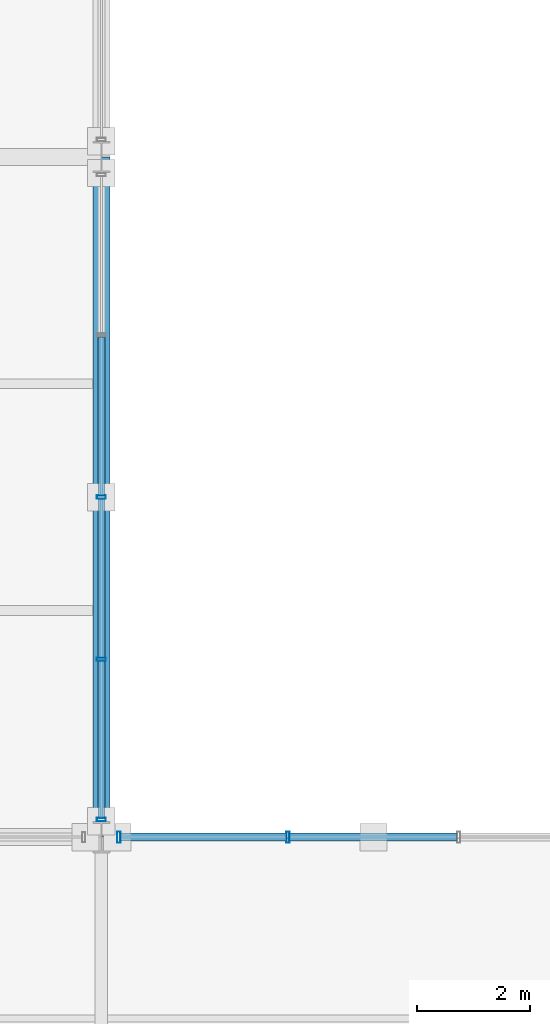
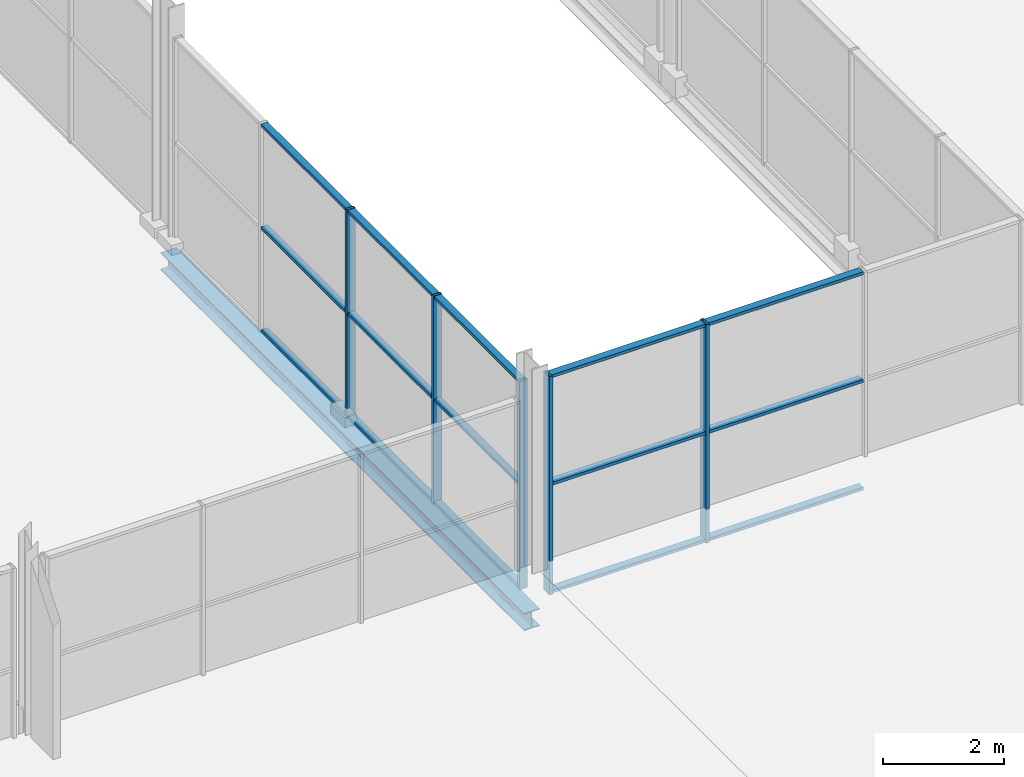
# One storey, part 31 of 159: 20 members, 1 beam, 2 elements without a shape of their own.
"""IFC4 building model written with IfcOpenShell, lengths in metres."""

import ifcopenshell
import ifcopenshell.guid

model = None  # the IFC model being written
_history = None  # IfcOwnerHistory: only IFC2X3 demands one
_inside = {}  # id of a spatial element -> (the spatial element, [elements in it])
_under = {}  # id of a project, library or spatial element -> (it, [spatial elements below it])
_declared = {}  # id of a project -> (the project, [libraries it declares])
_typed = {}  # id of a type object -> (the type object, [elements of that type])
_made_of = {}  # id of a material, layer set ... -> (it, [elements and type objects made of it])


def new_model(schema):
    """Start an empty IFC model of exactly this schema.

    Asked for "IFC4X3", IfcOpenShell would pick the latest addendum, in which some entities
    have other attributes; the version numbers below select the first issue.
    IFC2X3 requires an IfcOwnerHistory on every rooted entity: one is made here for all.
    """
    global model, _history
    if schema == "IFC4X3":
        model = ifcopenshell.file(schema_version=(4, 3, 0, 0))
    else:
        model = ifcopenshell.file(schema=schema)
    _inside.clear()
    _under.clear()
    _declared.clear()
    _typed.clear()
    _made_of.clear()
    _history = None
    if model.schema == "IFC2X3":
        org = make("IfcOrganization", Name="unknown")
        user = make(
            "IfcPersonAndOrganization",
            ThePerson=make("IfcPerson", FamilyName="unknown"),
            TheOrganization=org,
        )
        app = make(
            "IfcApplication",
            ApplicationDeveloper=org,
            Version="unknown",
            ApplicationFullName="unknown",
            ApplicationIdentifier="unknown",
        )
        _history = make(
            "IfcOwnerHistory",
            OwningUser=user,
            OwningApplication=app,
            ChangeAction="ADDED",
            CreationDate=0,
        )
    return model


def make(cls, **values):
    """One entity of the class cls with the attributes given. An attribute that is None is left unset."""
    return model.create_entity(
        cls, **{name: value for name, value in values.items() if value is not None}
    )


def rooted(cls, **values):
    """An entity with a GlobalId (a new one), such as an element, a storey or a relation."""
    return make(cls, GlobalId=ifcopenshell.guid.new(), OwnerHistory=_history, **values)


def si_unit(unit_type, name, prefix=None):
    """IfcSIUnit, for example si_unit("LENGTHUNIT", "METRE", prefix="MILLI")."""
    return make("IfcSIUnit", UnitType=unit_type, Prefix=prefix, Name=name)


def assignment(units):
    """IfcUnitAssignment: the units of a project."""
    return None if units is None else make("IfcUnitAssignment", Units=units)


def point(xyz):
    """IfcCartesianPoint."""
    return None if xyz is None else make("IfcCartesianPoint", Coordinates=xyz)


def direction(xyz):
    """IfcDirection."""
    return None if xyz is None else make("IfcDirection", DirectionRatios=xyz)


def frame(location, z_axis=None, x_axis=None):
    """IfcAxis2Placement3D, a coordinate frame: its origin and axes. An axis left out is left unset."""
    return make(
        "IfcAxis2Placement3D",
        Location=point(location),
        Axis=direction(z_axis),
        RefDirection=direction(x_axis),
    )


def frame_2d(location, x_axis=None):
    """IfcAxis2Placement2D, a coordinate frame in the plane: its origin and x axis."""
    return make(
        "IfcAxis2Placement2D", Location=point(location), RefDirection=direction(x_axis)
    )


def origin():
    """The frame at (0, 0, 0) with its axes left unset."""
    return frame((0.0, 0.0, 0.0))


def origin_2d():
    """The frame at (0, 0) in the plane with its x axis left unset."""
    return frame_2d((0.0, 0.0))


def place(relative_to, where):
    """IfcLocalPlacement: puts the frame where relative to a parent placement (None: the world)."""
    return make(
        "IfcLocalPlacement", PlacementRelTo=relative_to, RelativePlacement=where
    )


def context(
    kind, dimensions, precision=None, world=None, true_north=None, identifier=None
):
    """IfcGeometricRepresentationContext, for example the 3D "Model" context."""
    return make(
        "IfcGeometricRepresentationContext",
        ContextIdentifier=identifier,
        ContextType=kind,
        CoordinateSpaceDimension=dimensions,
        Precision=precision,
        WorldCoordinateSystem=world,
        TrueNorth=true_north,
    )


def subcontext(parent, identifier, kind, view, scale=None):
    """IfcGeometricRepresentationSubContext, for example "Body" below "Model"."""
    return make(
        "IfcGeometricRepresentationSubContext",
        ContextIdentifier=identifier,
        ContextType=kind,
        ParentContext=parent,
        TargetScale=scale,
        TargetView=view,
    )


def project(units=None, contexts=None):
    """IfcProject with its units and contexts."""
    return rooted(
        "IfcProject",
        Name="project",
        RepresentationContexts=contexts,
        UnitsInContext=assignment(units),
    )


def spatial(cls, under=None, at=None, **own):
    """A site, building, storey or space (cls), placed at a placement, below another one or the project."""
    s = rooted(cls, ObjectPlacement=at, **own)
    if under is not None:
        _under.setdefault(under.id(), (under, []))[1].append(s)
    return s


def profile(cls, at=None, kind="AREA", **sizes):
    """A parametric profile (cls). Its sizes go by their IFC names, for example OverallWidth=200.0."""
    return make(cls, ProfileType=kind, Position=at, **sizes)


def hollow_rectangle(**sizes):
    """IfcRectangleHollowProfileDef."""
    return profile("IfcRectangleHollowProfileDef", **sizes)


def i_section(**sizes):
    """IfcIShapeProfileDef."""
    return profile("IfcIShapeProfileDef", **sizes)


def extrude(swept, where, along, depth):
    """IfcExtrudedAreaSolid: the profile swept, set in the frame where, extruded along a direction by depth."""
    return make(
        "IfcExtrudedAreaSolid",
        SweptArea=swept,
        Position=where,
        ExtrudedDirection=direction(along),
        Depth=depth,
    )


def shape(context_of_items, identifier, shape_type, items):
    """IfcShapeRepresentation: the items that make up one representation, for example the "Body"."""
    return make(
        "IfcShapeRepresentation",
        ContextOfItems=context_of_items,
        RepresentationIdentifier=identifier,
        RepresentationType=shape_type,
        Items=items,
    )


def material(Name=None, Category=None):
    """IfcMaterial."""
    return make("IfcMaterial", Name=Name, Category=Category)


def material_profile(
    of_material, cross_section, Name=None, Category=None, Priority=None
):
    """IfcMaterialProfile: a cross section and its material."""
    return make(
        "IfcMaterialProfile",
        Name=Name,
        Material=of_material,
        Profile=cross_section,
        Priority=Priority,
        Category=Category,
    )


def profile_set(profiles, Name=None, composite=None):
    """IfcMaterialProfileSet."""
    return make(
        "IfcMaterialProfileSet",
        Name=Name,
        MaterialProfiles=profiles,
        CompositeProfile=composite,
    )


def made_of(thing, what):
    """Note that an element or type object is made of a material, layer set ...; save() writes the relation."""
    if what is not None:
        _made_of.setdefault(what.id(), (what, []))[1].append(thing)
    return thing


def type_object(cls, material=None, **own):
    """A type object (cls), such as IfcWallType, which elements share."""
    return made_of(rooted(cls, **own), material)


def element(
    cls,
    number,
    at=None,
    inside=None,
    cuts=None,
    type_object=None,
    material=None,
    context=None,
    identifier="Body",
    shape_type=None,
    held_by="IfcProductDefinitionShape",
    body=None,
    shapes=None,
    **own,
):
    """One element of the class cls, such as IfcWall. Its Tag is "e" and its number.

    at: its placement. inside: the storey or other place that contains it. cuts: it is an
    opening in that element (IfcRelVoidsElement). A single representation is given by context,
    identifier, shape_type and body (its items); several are given by shapes. held_by: the class
    of the entity that holds the representations. save() writes the other relations.
    """
    e = rooted(cls, Tag="e%d" % number, ObjectPlacement=at, **own)
    if body is not None:
        shapes = [shape(context, identifier, shape_type, body)]
    if shapes is not None:
        e.Representation = make(held_by, Representations=shapes)
    if inside is not None:
        _inside.setdefault(inside.id(), (inside, []))[1].append(e)
    if cuts is not None:
        rooted(
            "IfcRelVoidsElement", RelatingBuildingElement=cuts, RelatedOpeningElement=e
        )
    if type_object is not None:
        _typed.setdefault(type_object.id(), (type_object, []))[1].append(e)
    return made_of(e, material)


def aggregate(whole, parts):
    """IfcRelAggregates: a whole, such as a stair, and the parts it consists of."""
    return rooted("IfcRelAggregates", RelatingObject=whole, RelatedObjects=parts)


def save(model, path):
    """Write the relations noted so far, then the file.

    IfcRelAggregates (storeys below a building ...), IfcRelContainedInSpatialStructure (elements
    in a storey), IfcRelDefinesByType, IfcRelAssociatesMaterial and IfcRelDeclares: one each for
    every whole, place, type object, material and project.
    """
    for whole, parts in _under.values():
        aggregate(whole, parts)
    for where, things in _inside.values():
        rooted(
            "IfcRelContainedInSpatialStructure",
            RelatedElements=things,
            RelatingStructure=where,
        )
    for kind, things in _typed.values():
        rooted("IfcRelDefinesByType", RelatedObjects=things, RelatingType=kind)
    for what, things in _made_of.values():
        rooted("IfcRelAssociatesMaterial", RelatedObjects=things, RelatingMaterial=what)
    for by, libraries in _declared.values():
        rooted("IfcRelDeclares", RelatingContext=by, RelatedDefinitions=libraries)
    model.write(path)


model = new_model("IFC4")

# Units and contexts
model_context = context("Model", 3, precision=1e-05, world=origin(), true_north=direction((0.0, 1.0)))
body_context = subcontext(model_context, "Body", "Model", "MODEL_VIEW")
ifc_project = project(units=[si_unit("LENGTHUNIT", "METRE"), si_unit("AREAUNIT", "SQUARE_METRE"), si_unit("VOLUMEUNIT", "CUBIC_METRE"), si_unit("PLANEANGLEUNIT", "RADIAN"), si_unit("MASSUNIT", "GRAM", prefix="KILO")], contexts=[model_context])

# Site, building, storey
site_placement = place(None, origin())
site = spatial("IfcSite", under=ifc_project, at=site_placement, CompositionType="ELEMENT")
building_placement = place(site_placement, origin())
building = spatial("IfcBuilding", under=site, at=building_placement, Name="Merenkruunu Market Hall", CompositionType="ELEMENT")
storey_placement = place(building_placement, frame((0.0, 0.0, 5.39990234375)))
storey = spatial("IfcBuildingStorey", under=building, at=storey_placement, Name="L01", CompositionType="ELEMENT", Elevation=5.39990234375)

# Curtain wall, members
ifc_material_1 = material(Name="Powder-coated aluminium", Category="aluminium")
curtain_wall_type_1 = type_object("IfcCurtainWallType", Name="Glazed Curtain Wall CW15", PredefinedType="USERDEFINED", material=ifc_material_1)
curtain_wall_1_placement = place(storey_placement, origin())
curtain_wall_1 = element("IfcCurtainWall", 1, at=curtain_wall_1_placement, inside=storey, type_object=curtain_wall_type_1, Name="CW-L01-CWM01-122", ObjectType="GLAZED_FACADE", PredefinedType="USERDEFINED")
ifc_material_profile_1 = material_profile(ifc_material_1, hollow_rectangle(XDim=0.06005859375, YDim=0.159912109375, WallThickness=0.00390625, at=origin_2d()), Name="ALU 60x160x4")
ifc_profile_set_1 = profile_set([ifc_material_profile_1], Name="Powder-coated aluminium")
member_type_1 = type_object("IfcMemberType", Name="Curtain Wall Mullion CWM01", PredefinedType="MULLION", material=ifc_profile_set_1)
member_1_placement = place(storey_placement, frame((57.60009765625, 15.909912109375, 0.0), z_axis=(0.0, 0.0, 1.0), x_axis=(0.0, 1.0, 0.0)))
member_1 = element("IfcMember", 2, at=member_1_placement, type_object=member_type_1, Name="CW15 mullion 1", PredefinedType="MULLION", context=body_context, shape_type="SweptSolid", body=[
    extrude(hollow_rectangle(XDim=0.06005859375, YDim=0.159912109375, WallThickness=0.00390625, at=origin_2d()), origin(), (0.0, 0.0, 1.0), 4.2001953125),
])
member_2_placement = place(storey_placement, frame((57.60009765625, 18.739990234375, 0.0), z_axis=(0.0, 0.0, 1.0), x_axis=(0.0, 1.0, 0.0)))
member_2 = element("IfcMember", 3, at=member_2_placement, type_object=member_type_1, Name="CW15 mullion 2", PredefinedType="MULLION", context=body_context, shape_type="SweptSolid", body=[
    extrude(hollow_rectangle(XDim=0.06005859375, YDim=0.159912109375, WallThickness=0.00390625, at=origin_2d()), origin(), (0.0, 0.0, 1.0), 4.2001953125),
])
member_3_placement = place(storey_placement, frame((57.60009765625, 21.60009765625, 0.0), z_axis=(0.0, 0.0, 1.0), x_axis=(0.0, 1.0, 0.0)))
member_3 = element("IfcMember", 4, at=member_3_placement, type_object=member_type_1, Name="CW15 mullion 3", PredefinedType="MULLION", context=body_context, shape_type="SweptSolid", body=[
    extrude(hollow_rectangle(XDim=0.06005859375, YDim=0.159912109375, WallThickness=0.00390625, at=origin_2d()), origin(), (0.0, 0.0, 1.0), 4.2001953125),
])

curtain_wall_type_2 = type_object("IfcCurtainWallType", Name="Glazed Curtain Wall CW03", PredefinedType="USERDEFINED", material=ifc_material_1)
curtain_wall_2_placement = place(storey_placement, origin())
curtain_wall_2 = element("IfcCurtainWall", 5, at=curtain_wall_2_placement, inside=storey, type_object=curtain_wall_type_2, Name="CW-L01-CWM03-140", ObjectType="GLAZED_FACADE", PredefinedType="USERDEFINED")
ifc_material_profile_2 = material_profile(ifc_material_1, hollow_rectangle(XDim=0.06005859375, YDim=0.199951171875, WallThickness=0.0048828125, at=origin_2d()), Name="ALU 60x200x5")
ifc_profile_set_2 = profile_set([ifc_material_profile_2], Name="Powder-coated aluminium")
member_type_2 = type_object("IfcMemberType", Name="Curtain Wall Mullion CWM03", PredefinedType="MULLION", material=ifc_profile_set_2)
member_4_placement = place(storey_placement, frame((60.893310546875, 15.60009765625, 0.0), z_axis=(0.0, 0.0, 1.0), x_axis=(-1.0, 0.0, 0.0)))
member_4 = element("IfcMember", 6, at=member_4_placement, type_object=member_type_2, Name="CW03 mullion 3", PredefinedType="MULLION", context=body_context, shape_type="SweptSolid", body=[
    extrude(hollow_rectangle(XDim=0.06005859375, YDim=0.199951171875, WallThickness=0.0048828125, at=origin_2d()), origin(), (0.0, 0.0, 1.0), 4.400146484375),
])
member_5_placement = place(storey_placement, frame((57.909912109375, 15.60009765625, 0.0), z_axis=(0.0, 0.0, 1.0), x_axis=(-1.0, 0.0, 0.0)))
member_5 = element("IfcMember", 7, at=member_5_placement, type_object=member_type_2, Name="CW03 mullion 4", PredefinedType="MULLION", context=body_context, shape_type="SweptSolid", body=[
    extrude(hollow_rectangle(XDim=0.06005859375, YDim=0.199951171875, WallThickness=0.0048828125, at=origin_2d()), origin(), (0.0, 0.0, 1.0), 4.400146484375),
])

# Member
ifc_material_profile_3 = material_profile(ifc_material_1, hollow_rectangle(XDim=0.06005859375, YDim=0.125, WallThickness=0.00390625, at=origin_2d()), Name="ALU 60x125x4")
ifc_profile_set_3 = profile_set([ifc_material_profile_3], Name="Powder-coated aluminium")
member_type_3 = type_object("IfcMemberType", Name="Curtain Wall Transom CWT01", PredefinedType="USERDEFINED", material=ifc_profile_set_3)
member_6_placement = place(storey_placement, frame((57.60009765625, 15.93994140625, 0.030029296875), z_axis=(0.0, 1.0, 0.0), x_axis=(0.0, 0.0, 1.0)))
member_6 = element("IfcMember", 8, at=member_6_placement, type_object=member_type_3, Name="CW15 transom 1.1", ObjectType="TRANSOM", PredefinedType="USERDEFINED", context=body_context, shape_type="SweptSolid", body=[
    extrude(hollow_rectangle(XDim=0.06005859375, YDim=0.125, WallThickness=0.00390625, at=origin_2d()), origin(), (0.0, 0.0, 1.0), 2.77001953125),
])

member_7_placement = place(storey_placement, frame((57.60009765625, 15.93994140625, 2.10009765625), z_axis=(0.0, 1.0, 0.0), x_axis=(0.0, 0.0, 1.0)))
member_7 = element("IfcMember", 9, at=member_7_placement, type_object=member_type_3, Name="CW15 transom 1.2", ObjectType="TRANSOM", PredefinedType="USERDEFINED", context=body_context, shape_type="SweptSolid", body=[
    extrude(hollow_rectangle(XDim=0.06005859375, YDim=0.125, WallThickness=0.00390625, at=origin_2d()), origin(), (0.0, 0.0, 1.0), 2.77001953125),
])

member_8_placement = place(storey_placement, frame((57.60009765625, 15.93994140625, 4.170166015625), z_axis=(0.0, 1.0, 0.0), x_axis=(0.0, 0.0, 1.0)))
member_8 = element("IfcMember", 10, at=member_8_placement, type_object=member_type_3, Name="CW15 transom 1.3", ObjectType="TRANSOM", PredefinedType="USERDEFINED", context=body_context, shape_type="SweptSolid", body=[
    extrude(hollow_rectangle(XDim=0.06005859375, YDim=0.125, WallThickness=0.00390625, at=origin_2d()), origin(), (0.0, 0.0, 1.0), 2.77001953125),
])

member_9_placement = place(storey_placement, frame((57.60009765625, 18.77001953125, 0.030029296875), z_axis=(0.0, 1.0, 0.0), x_axis=(0.0, 0.0, 1.0)))
member_9 = element("IfcMember", 11, at=member_9_placement, type_object=member_type_3, Name="CW15 transom 2.1", ObjectType="TRANSOM", PredefinedType="USERDEFINED", context=body_context, shape_type="SweptSolid", body=[
    extrude(hollow_rectangle(XDim=0.06005859375, YDim=0.125, WallThickness=0.00390625, at=origin_2d()), origin(), (0.0, 0.0, 1.0), 2.800048828125),
])

member_10_placement = place(storey_placement, frame((57.60009765625, 18.77001953125, 2.10009765625), z_axis=(0.0, 1.0, 0.0), x_axis=(0.0, 0.0, 1.0)))
member_10 = element("IfcMember", 12, at=member_10_placement, type_object=member_type_3, Name="CW15 transom 2.2", ObjectType="TRANSOM", PredefinedType="USERDEFINED", context=body_context, shape_type="SweptSolid", body=[
    extrude(hollow_rectangle(XDim=0.06005859375, YDim=0.125, WallThickness=0.00390625, at=origin_2d()), origin(), (0.0, 0.0, 1.0), 2.800048828125),
])

member_11_placement = place(storey_placement, frame((57.60009765625, 18.77001953125, 4.170166015625), z_axis=(0.0, 1.0, 0.0), x_axis=(0.0, 0.0, 1.0)))
member_11 = element("IfcMember", 13, at=member_11_placement, type_object=member_type_3, Name="CW15 transom 2.3", ObjectType="TRANSOM", PredefinedType="USERDEFINED", context=body_context, shape_type="SweptSolid", body=[
    extrude(hollow_rectangle(XDim=0.06005859375, YDim=0.125, WallThickness=0.00390625, at=origin_2d()), origin(), (0.0, 0.0, 1.0), 2.800048828125),
])

member_12_placement = place(storey_placement, frame((57.60009765625, 21.6298828125, 0.030029296875), z_axis=(0.0, 1.0, 0.0), x_axis=(0.0, 0.0, 1.0)))
member_12 = element("IfcMember", 14, at=member_12_placement, type_object=member_type_3, Name="CW15 transom 3.1", ObjectType="TRANSOM", PredefinedType="USERDEFINED", context=body_context, shape_type="SweptSolid", body=[
    extrude(hollow_rectangle(XDim=0.06005859375, YDim=0.125, WallThickness=0.00390625, at=origin_2d()), origin(), (0.0, 0.0, 1.0), 2.800048828125),
])

member_13_placement = place(storey_placement, frame((57.60009765625, 21.6298828125, 2.10009765625), z_axis=(0.0, 1.0, 0.0), x_axis=(0.0, 0.0, 1.0)))
member_13 = element("IfcMember", 15, at=member_13_placement, type_object=member_type_3, Name="CW15 transom 3.2", ObjectType="TRANSOM", PredefinedType="USERDEFINED", context=body_context, shape_type="SweptSolid", body=[
    extrude(hollow_rectangle(XDim=0.06005859375, YDim=0.125, WallThickness=0.00390625, at=origin_2d()), origin(), (0.0, 0.0, 1.0), 2.800048828125),
])

member_14_placement = place(storey_placement, frame((57.60009765625, 21.6298828125, 4.170166015625), z_axis=(0.0, 1.0, 0.0), x_axis=(0.0, 0.0, 1.0)))
member_14 = element("IfcMember", 16, at=member_14_placement, type_object=member_type_3, Name="CW15 transom 3.3", ObjectType="TRANSOM", PredefinedType="USERDEFINED", context=body_context, shape_type="SweptSolid", body=[
    extrude(hollow_rectangle(XDim=0.06005859375, YDim=0.125, WallThickness=0.00390625, at=origin_2d()), origin(), (0.0, 0.0, 1.0), 2.800048828125),
])

aggregate(curtain_wall_1, [member_1, member_2, member_3, member_6, member_7, member_8, member_9, member_10, member_11, member_12, member_13, member_14])

ifc_material_profile_4 = material_profile(ifc_material_1, hollow_rectangle(XDim=0.06005859375, YDim=0.139892578125, WallThickness=0.00390625, at=origin_2d()), Name="ALU 60x140x4")
ifc_profile_set_4 = profile_set([ifc_material_profile_4], Name="Powder-coated aluminium")
member_type_4 = type_object("IfcMemberType", Name="Curtain Wall Transom CWT02", PredefinedType="USERDEFINED", material=ifc_profile_set_4)
member_15_placement = place(storey_placement, frame((63.876708984375, 15.60009765625, 0.030029296875), z_axis=(-1.0, 0.0, 0.0), x_axis=(0.0, 0.0, 1.0)))
member_15 = element("IfcMember", 17, at=member_15_placement, type_object=member_type_4, Name="CW03 transom 2.1", ObjectType="TRANSOM", PredefinedType="USERDEFINED", context=body_context, shape_type="SweptSolid", body=[
    extrude(hollow_rectangle(XDim=0.06005859375, YDim=0.139892578125, WallThickness=0.00390625, at=origin_2d()), origin(), (0.0, 0.0, 1.0), 2.953369140625),
])

member_16_placement = place(storey_placement, frame((63.876708984375, 15.60009765625, 2.2001953125), z_axis=(-1.0, 0.0, 0.0), x_axis=(0.0, 0.0, 1.0)))
member_16 = element("IfcMember", 18, at=member_16_placement, type_object=member_type_4, Name="CW03 transom 2.2", ObjectType="TRANSOM", PredefinedType="USERDEFINED", context=body_context, shape_type="SweptSolid", body=[
    extrude(hollow_rectangle(XDim=0.06005859375, YDim=0.139892578125, WallThickness=0.00390625, at=origin_2d()), origin(), (0.0, 0.0, 1.0), 2.953369140625),
])

member_17_placement = place(storey_placement, frame((63.876708984375, 15.60009765625, 4.3701171875), z_axis=(-1.0, 0.0, 0.0), x_axis=(0.0, 0.0, 1.0)))
member_17 = element("IfcMember", 19, at=member_17_placement, type_object=member_type_4, Name="CW03 transom 2.3", ObjectType="TRANSOM", PredefinedType="USERDEFINED", context=body_context, shape_type="SweptSolid", body=[
    extrude(hollow_rectangle(XDim=0.06005859375, YDim=0.139892578125, WallThickness=0.00390625, at=origin_2d()), origin(), (0.0, 0.0, 1.0), 2.953369140625),
])

member_18_placement = place(storey_placement, frame((60.86328125, 15.60009765625, 0.030029296875), z_axis=(-1.0, 0.0, 0.0), x_axis=(0.0, 0.0, 1.0)))
member_18 = element("IfcMember", 20, at=member_18_placement, type_object=member_type_4, Name="CW03 transom 3.1", ObjectType="TRANSOM", PredefinedType="USERDEFINED", context=body_context, shape_type="SweptSolid", body=[
    extrude(hollow_rectangle(XDim=0.06005859375, YDim=0.139892578125, WallThickness=0.00390625, at=origin_2d()), origin(), (0.0, 0.0, 1.0), 2.92333984375),
])

member_19_placement = place(storey_placement, frame((60.86328125, 15.60009765625, 2.2001953125), z_axis=(-1.0, 0.0, 0.0), x_axis=(0.0, 0.0, 1.0)))
member_19 = element("IfcMember", 21, at=member_19_placement, type_object=member_type_4, Name="CW03 transom 3.2", ObjectType="TRANSOM", PredefinedType="USERDEFINED", context=body_context, shape_type="SweptSolid", body=[
    extrude(hollow_rectangle(XDim=0.06005859375, YDim=0.139892578125, WallThickness=0.00390625, at=origin_2d()), origin(), (0.0, 0.0, 1.0), 2.92333984375),
])

member_20_placement = place(storey_placement, frame((60.86328125, 15.60009765625, 4.3701171875), z_axis=(-1.0, 0.0, 0.0), x_axis=(0.0, 0.0, 1.0)))
member_20 = element("IfcMember", 22, at=member_20_placement, type_object=member_type_4, Name="CW03 transom 3.3", ObjectType="TRANSOM", PredefinedType="USERDEFINED", context=body_context, shape_type="SweptSolid", body=[
    extrude(hollow_rectangle(XDim=0.06005859375, YDim=0.139892578125, WallThickness=0.00390625, at=origin_2d()), origin(), (0.0, 0.0, 1.0), 2.92333984375),
])

aggregate(curtain_wall_2, [member_4, member_5, member_15, member_16, member_17, member_18, member_19, member_20])

# Beam
ifc_material_2 = material(Name="Steel S355J2", Category="steel")
ifc_material_profile_5 = material_profile(ifc_material_2, i_section(OverallWidth=0.300048828125, OverallDepth=0.35009765625, WebThickness=0.010009765625, FlangeThickness=0.017578125, FilletRadius=0.027099609375, at=origin_2d()), Name="HEA 360")
ifc_profile_set_5 = profile_set([ifc_material_profile_5], Name="Steel S355J2")
beam_type = type_object("IfcBeamType", Name="Primary Floor Girder B08", PredefinedType="BEAM", material=ifc_profile_set_5)
beam_placement = place(storey_placement, frame((57.60009765625, 15.60009765625, -0.454833984375), z_axis=(0.0, 1.0, 0.0), x_axis=(-1.0, 0.0, 0.0)))
element("IfcBeam", 23, at=beam_placement, inside=storey, type_object=beam_type, Name="BM-L01-B08-0580", PredefinedType="BEAM", context=body_context, shape_type="SweptSolid", body=[
    extrude(i_section(OverallWidth=0.300048828125, OverallDepth=0.35009765625, WebThickness=0.010009765625, FlangeThickness=0.017578125, FilletRadius=0.027099609375, at=origin_2d()), origin(), (0.0, 0.0, 1.0), 12.0),
])

save(model, "model.ifc")
